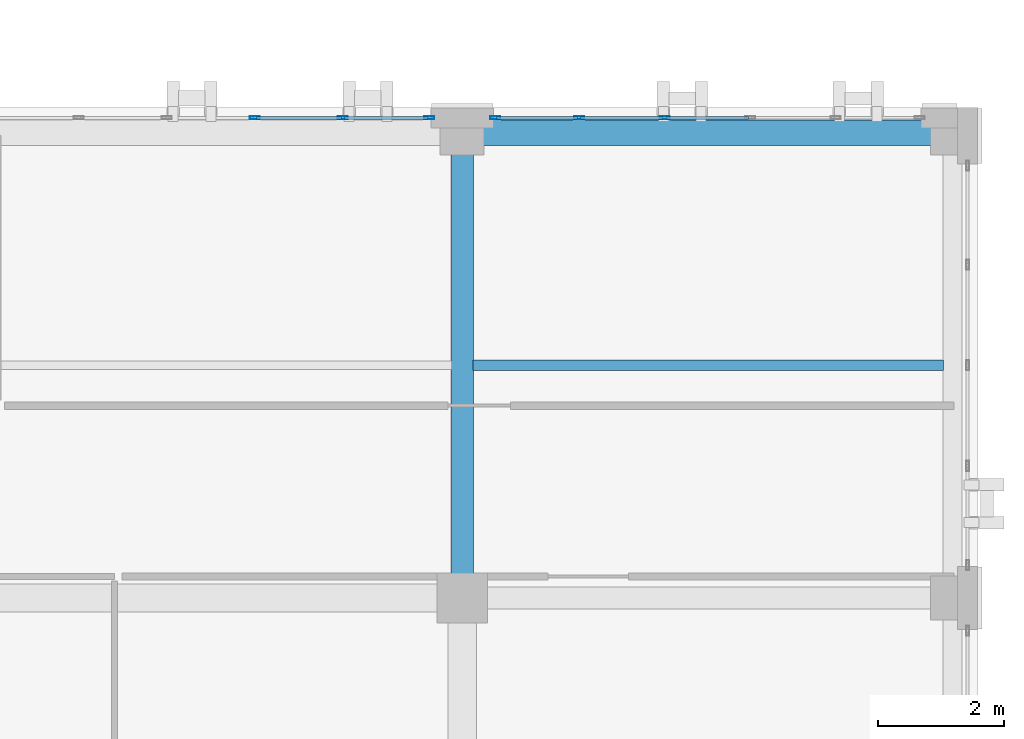
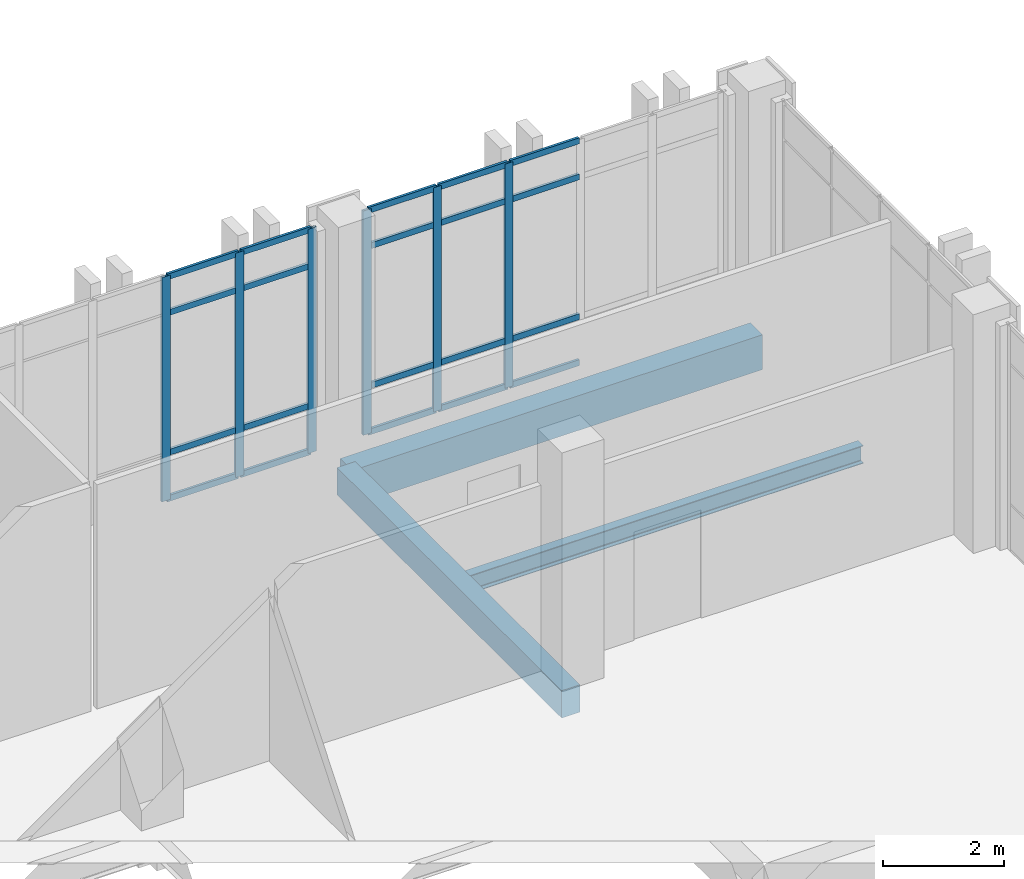
# One storey, part 126 of 189: 26 members, 3 beams, 2 elements without a shape of their own.
"""IFC4 building model written with IfcOpenShell, lengths in metres."""

from ifc_helpers import new_model, si_unit, direction, frame, origin, origin_2d, place, context, subcontext, project, spatial, rectangle, hollow_rectangle, i_section, extrude, material, layer, layer_set, material_profile, profile_set, type_object, element, aggregate, save


model = new_model("IFC4")

# Units and contexts
model_context = context("Model", 3, precision=1e-05, world=origin(), true_north=direction((0.0, 1.0)))
body_context = subcontext(model_context, "Body", "Model", "MODEL_VIEW")
ifc_project = project(units=[si_unit("LENGTHUNIT", "METRE"), si_unit("AREAUNIT", "SQUARE_METRE"), si_unit("VOLUMEUNIT", "CUBIC_METRE"), si_unit("PLANEANGLEUNIT", "RADIAN"), si_unit("MASSUNIT", "GRAM", prefix="KILO")], contexts=[model_context])

# Site, building, storey
site_placement = place(None, origin())
site = spatial("IfcSite", under=ifc_project, at=site_placement, CompositionType="ELEMENT")
building_placement = place(site_placement, origin())
building = spatial("IfcBuilding", under=site, at=building_placement, Name="Qalavern Law Courts", CompositionType="ELEMENT")
storey_placement = place(building_placement, frame((0.0, 0.0, 5.39990234375)))
storey = spatial("IfcBuildingStorey", under=building, at=storey_placement, Name="L01", CompositionType="ELEMENT", Elevation=5.39990234375)

# Curtain wall, members
ifc_material_1 = material(Name="Anodised aluminium and insulated glazing", Category="aluminium")
ifc_layer = layer(ifc_material_1, 0.172119140625)
ifc_layer_set = layer_set([ifc_layer], Name="Anodised aluminium and insulated glazing")
curtain_wall_type = type_object("IfcCurtainWallType", Name="ENV-CW-COURT", PredefinedType="USERDEFINED", material=ifc_layer_set)
curtain_wall_1_placement = place(storey_placement, origin())
curtain_wall_1 = element("IfcCurtainWall", 1, at=curtain_wall_1_placement, inside=storey, type_object=curtain_wall_type, Name="V6 unitised curtain wall L01 north 1", ObjectType="UNITISED CURTAIN WALL", PredefinedType="USERDEFINED")
ifc_material_2 = material(Name="Anodised aluminium", Category="aluminium")
ifc_material_profile_1 = material_profile(ifc_material_2, hollow_rectangle(XDim=0.048095703125, YDim=0.159912109375, WallThickness=0.00390625, at=origin_2d()), Name="ALU MULLION 48x160")
ifc_profile_set_1 = profile_set([ifc_material_profile_1], Name="Anodised aluminium")
member_type_1 = type_object("IfcMemberType", Name="ENV-CWM-48x160", PredefinedType="MULLION", material=ifc_profile_set_1)
member_1_placement = place(storey_placement, frame((161.02001953125, 22.4375, 0.0), z_axis=(0.0, 0.0, 1.0), x_axis=(0.0, -1.0, 0.0)))
member_1 = element("IfcMember", 2, at=member_1_placement, type_object=member_type_1, Name="CW-03 mullion 4", PredefinedType="MULLION", context=body_context, shape_type="SweptSolid", body=[
    extrude(hollow_rectangle(XDim=0.048095703125, YDim=0.159912109375, WallThickness=0.00390625, at=origin_2d()), origin(), (0.0, 0.0, 1.0), 4.510009765625),
])
member_2_placement = place(storey_placement, frame((159.659912109375, 22.4375, 0.0), z_axis=(0.0, 0.0, 1.0), x_axis=(0.0, -1.0, 0.0)))
member_2 = element("IfcMember", 3, at=member_2_placement, type_object=member_type_1, Name="CW-03 mullion 5", PredefinedType="MULLION", context=body_context, shape_type="SweptSolid", body=[
    extrude(hollow_rectangle(XDim=0.048095703125, YDim=0.159912109375, WallThickness=0.00390625, at=origin_2d()), origin(), (0.0, 0.0, 1.0), 4.510009765625),
])
member_3_placement = place(storey_placement, frame((158.323974609375, 22.4375, 0.0), z_axis=(0.0, 0.0, 1.0), x_axis=(0.0, -1.0, 0.0)))
member_3 = element("IfcMember", 4, at=member_3_placement, type_object=member_type_1, Name="CW-03 mullion 6", PredefinedType="MULLION", context=body_context, shape_type="SweptSolid", body=[
    extrude(hollow_rectangle(XDim=0.048095703125, YDim=0.159912109375, WallThickness=0.00390625, at=origin_2d()), origin(), (0.0, 0.0, 1.0), 4.510009765625),
])

curtain_wall_2_placement = place(storey_placement, origin())
curtain_wall_2 = element("IfcCurtainWall", 5, at=curtain_wall_2_placement, inside=storey, type_object=curtain_wall_type, Name="V6 unitised curtain wall L01 north 2", ObjectType="UNITISED CURTAIN WALL", PredefinedType="USERDEFINED")
member_4_placement = place(storey_placement, frame((157.27587890625, 22.4375, 0.0), z_axis=(0.0, 0.0, 1.0), x_axis=(0.0, -1.0, 0.0)))
member_4 = element("IfcMember", 6, at=member_4_placement, type_object=member_type_1, Name="CW-03 mullion 1", PredefinedType="MULLION", context=body_context, shape_type="SweptSolid", body=[
    extrude(hollow_rectangle(XDim=0.048095703125, YDim=0.159912109375, WallThickness=0.00390625, at=origin_2d()), origin(), (0.0, 0.0, 1.0), 4.510009765625),
])
member_5_placement = place(storey_placement, frame((155.89990234375, 22.4375, 0.0), z_axis=(0.0, 0.0, 1.0), x_axis=(0.0, -1.0, 0.0)))
member_5 = element("IfcMember", 7, at=member_5_placement, type_object=member_type_1, Name="CW-03 mullion 2", PredefinedType="MULLION", context=body_context, shape_type="SweptSolid", body=[
    extrude(hollow_rectangle(XDim=0.048095703125, YDim=0.159912109375, WallThickness=0.00390625, at=origin_2d()), origin(), (0.0, 0.0, 1.0), 4.510009765625),
])
member_6_placement = place(storey_placement, frame((154.5, 22.4375, 0.0), z_axis=(0.0, 0.0, 1.0), x_axis=(0.0, -1.0, 0.0)))
member_6 = element("IfcMember", 8, at=member_6_placement, type_object=member_type_1, Name="CW-03 mullion 3", PredefinedType="MULLION", context=body_context, shape_type="SweptSolid", body=[
    extrude(hollow_rectangle(XDim=0.048095703125, YDim=0.159912109375, WallThickness=0.00390625, at=origin_2d()), origin(), (0.0, 0.0, 1.0), 4.510009765625),
])

# Member
ifc_material_profile_2 = material_profile(ifc_material_2, hollow_rectangle(XDim=0.048095703125, YDim=0.1201171875, WallThickness=0.00390625, at=origin_2d()), Name="ALU TRANSOM 48x120")
ifc_profile_set_2 = profile_set([ifc_material_profile_2], Name="Anodised aluminium")
member_type_2 = type_object("IfcMemberType", Name="ENV-CWT-48x120", PredefinedType="USERDEFINED", material=ifc_profile_set_2)
member_7_placement = place(storey_placement, frame((162.35595703125, 22.4375, 0.024169921875), z_axis=(-1.0, 0.0, 0.0), x_axis=(0.0, -1.0, 0.0)))
member_7 = element("IfcMember", 9, at=member_7_placement, type_object=member_type_2, Name="CW-03 transom 3.1", ObjectType="TRANSOM", PredefinedType="USERDEFINED", context=body_context, shape_type="SweptSolid", body=[
    extrude(hollow_rectangle(XDim=0.048095703125, YDim=0.1201171875, WallThickness=0.00390625, at=origin_2d()), origin(), (0.0, 0.0, 1.0), 1.31201171875),
])

member_8_placement = place(storey_placement, frame((162.35595703125, 22.4375, 0.9501953125), z_axis=(-1.0, 0.0, 0.0), x_axis=(0.0, -1.0, 0.0)))
member_8 = element("IfcMember", 10, at=member_8_placement, type_object=member_type_2, Name="CW-03 transom 3.2", ObjectType="TRANSOM", PredefinedType="USERDEFINED", context=body_context, shape_type="SweptSolid", body=[
    extrude(hollow_rectangle(XDim=0.048095703125, YDim=0.1201171875, WallThickness=0.00390625, at=origin_2d()), origin(), (0.0, 0.0, 1.0), 1.31201171875),
])

member_9_placement = place(storey_placement, frame((162.35595703125, 22.4375, 3.760009765625), z_axis=(-1.0, 0.0, 0.0), x_axis=(0.0, -1.0, 0.0)))
member_9 = element("IfcMember", 11, at=member_9_placement, type_object=member_type_2, Name="CW-03 transom 3.3", ObjectType="TRANSOM", PredefinedType="USERDEFINED", context=body_context, shape_type="SweptSolid", body=[
    extrude(hollow_rectangle(XDim=0.048095703125, YDim=0.1201171875, WallThickness=0.00390625, at=origin_2d()), origin(), (0.0, 0.0, 1.0), 1.31201171875),
])

member_10_placement = place(storey_placement, frame((162.35595703125, 22.4375, 4.486083984375), z_axis=(-1.0, 0.0, 0.0), x_axis=(0.0, -1.0, 0.0)))
member_10 = element("IfcMember", 12, at=member_10_placement, type_object=member_type_2, Name="CW-03 transom 3.4", ObjectType="TRANSOM", PredefinedType="USERDEFINED", context=body_context, shape_type="SweptSolid", body=[
    extrude(hollow_rectangle(XDim=0.048095703125, YDim=0.1201171875, WallThickness=0.00390625, at=origin_2d()), origin(), (0.0, 0.0, 1.0), 1.31201171875),
])

member_11_placement = place(storey_placement, frame((160.99609375, 22.4375, 0.024169921875), z_axis=(-1.0, 0.0, 0.0), x_axis=(0.0, -1.0, 0.0)))
member_11 = element("IfcMember", 13, at=member_11_placement, type_object=member_type_2, Name="CW-03 transom 4.1", ObjectType="TRANSOM", PredefinedType="USERDEFINED", context=body_context, shape_type="SweptSolid", body=[
    extrude(hollow_rectangle(XDim=0.048095703125, YDim=0.1201171875, WallThickness=0.00390625, at=origin_2d()), origin(), (0.0, 0.0, 1.0), 1.31201171875),
])

member_12_placement = place(storey_placement, frame((160.99609375, 22.4375, 0.9501953125), z_axis=(-1.0, 0.0, 0.0), x_axis=(0.0, -1.0, 0.0)))
member_12 = element("IfcMember", 14, at=member_12_placement, type_object=member_type_2, Name="CW-03 transom 4.2", ObjectType="TRANSOM", PredefinedType="USERDEFINED", context=body_context, shape_type="SweptSolid", body=[
    extrude(hollow_rectangle(XDim=0.048095703125, YDim=0.1201171875, WallThickness=0.00390625, at=origin_2d()), origin(), (0.0, 0.0, 1.0), 1.31201171875),
])

member_13_placement = place(storey_placement, frame((160.99609375, 22.4375, 3.760009765625), z_axis=(-1.0, 0.0, 0.0), x_axis=(0.0, -1.0, 0.0)))
member_13 = element("IfcMember", 15, at=member_13_placement, type_object=member_type_2, Name="CW-03 transom 4.3", ObjectType="TRANSOM", PredefinedType="USERDEFINED", context=body_context, shape_type="SweptSolid", body=[
    extrude(hollow_rectangle(XDim=0.048095703125, YDim=0.1201171875, WallThickness=0.00390625, at=origin_2d()), origin(), (0.0, 0.0, 1.0), 1.31201171875),
])

member_14_placement = place(storey_placement, frame((160.99609375, 22.4375, 4.486083984375), z_axis=(-1.0, 0.0, 0.0), x_axis=(0.0, -1.0, 0.0)))
member_14 = element("IfcMember", 16, at=member_14_placement, type_object=member_type_2, Name="CW-03 transom 4.4", ObjectType="TRANSOM", PredefinedType="USERDEFINED", context=body_context, shape_type="SweptSolid", body=[
    extrude(hollow_rectangle(XDim=0.048095703125, YDim=0.1201171875, WallThickness=0.00390625, at=origin_2d()), origin(), (0.0, 0.0, 1.0), 1.31201171875),
])

member_15_placement = place(storey_placement, frame((159.635986328125, 22.4375, 0.024169921875), z_axis=(-1.0, 0.0, 0.0), x_axis=(0.0, -1.0, 0.0)))
member_15 = element("IfcMember", 17, at=member_15_placement, type_object=member_type_2, Name="CW-03 transom 5.1", ObjectType="TRANSOM", PredefinedType="USERDEFINED", context=body_context, shape_type="SweptSolid", body=[
    extrude(hollow_rectangle(XDim=0.048095703125, YDim=0.1201171875, WallThickness=0.00390625, at=origin_2d()), origin(), (0.0, 0.0, 1.0), 1.2880859375),
])

member_16_placement = place(storey_placement, frame((159.635986328125, 22.4375, 0.9501953125), z_axis=(-1.0, 0.0, 0.0), x_axis=(0.0, -1.0, 0.0)))
member_16 = element("IfcMember", 18, at=member_16_placement, type_object=member_type_2, Name="CW-03 transom 5.2", ObjectType="TRANSOM", PredefinedType="USERDEFINED", context=body_context, shape_type="SweptSolid", body=[
    extrude(hollow_rectangle(XDim=0.048095703125, YDim=0.1201171875, WallThickness=0.00390625, at=origin_2d()), origin(), (0.0, 0.0, 1.0), 1.2880859375),
])

member_17_placement = place(storey_placement, frame((159.635986328125, 22.4375, 3.760009765625), z_axis=(-1.0, 0.0, 0.0), x_axis=(0.0, -1.0, 0.0)))
member_17 = element("IfcMember", 19, at=member_17_placement, type_object=member_type_2, Name="CW-03 transom 5.3", ObjectType="TRANSOM", PredefinedType="USERDEFINED", context=body_context, shape_type="SweptSolid", body=[
    extrude(hollow_rectangle(XDim=0.048095703125, YDim=0.1201171875, WallThickness=0.00390625, at=origin_2d()), origin(), (0.0, 0.0, 1.0), 1.2880859375),
])

member_18_placement = place(storey_placement, frame((159.635986328125, 22.4375, 4.486083984375), z_axis=(-1.0, 0.0, 0.0), x_axis=(0.0, -1.0, 0.0)))
member_18 = element("IfcMember", 20, at=member_18_placement, type_object=member_type_2, Name="CW-03 transom 5.4", ObjectType="TRANSOM", PredefinedType="USERDEFINED", context=body_context, shape_type="SweptSolid", body=[
    extrude(hollow_rectangle(XDim=0.048095703125, YDim=0.1201171875, WallThickness=0.00390625, at=origin_2d()), origin(), (0.0, 0.0, 1.0), 1.2880859375),
])

aggregate(curtain_wall_1, [member_1, member_2, member_3, member_7, member_8, member_9, member_10, member_11, member_12, member_13, member_14, member_15, member_16, member_17, member_18])

member_19_placement = place(storey_placement, frame((157.251953125, 22.4375, 0.024169921875), z_axis=(-1.0, 0.0, 0.0), x_axis=(0.0, -1.0, 0.0)))
member_19 = element("IfcMember", 21, at=member_19_placement, type_object=member_type_2, Name="CW-03 transom 1.1", ObjectType="TRANSOM", PredefinedType="USERDEFINED", context=body_context, shape_type="SweptSolid", body=[
    extrude(hollow_rectangle(XDim=0.048095703125, YDim=0.1201171875, WallThickness=0.00390625, at=origin_2d()), origin(), (0.0, 0.0, 1.0), 1.327880859375),
])

member_20_placement = place(storey_placement, frame((157.251953125, 22.4375, 0.9501953125), z_axis=(-1.0, 0.0, 0.0), x_axis=(0.0, -1.0, 0.0)))
member_20 = element("IfcMember", 22, at=member_20_placement, type_object=member_type_2, Name="CW-03 transom 1.2", ObjectType="TRANSOM", PredefinedType="USERDEFINED", context=body_context, shape_type="SweptSolid", body=[
    extrude(hollow_rectangle(XDim=0.048095703125, YDim=0.1201171875, WallThickness=0.00390625, at=origin_2d()), origin(), (0.0, 0.0, 1.0), 1.327880859375),
])

member_21_placement = place(storey_placement, frame((157.251953125, 22.4375, 3.760009765625), z_axis=(-1.0, 0.0, 0.0), x_axis=(0.0, -1.0, 0.0)))
member_21 = element("IfcMember", 23, at=member_21_placement, type_object=member_type_2, Name="CW-03 transom 1.3", ObjectType="TRANSOM", PredefinedType="USERDEFINED", context=body_context, shape_type="SweptSolid", body=[
    extrude(hollow_rectangle(XDim=0.048095703125, YDim=0.1201171875, WallThickness=0.00390625, at=origin_2d()), origin(), (0.0, 0.0, 1.0), 1.327880859375),
])

member_22_placement = place(storey_placement, frame((157.251953125, 22.4375, 4.486083984375), z_axis=(-1.0, 0.0, 0.0), x_axis=(0.0, -1.0, 0.0)))
member_22 = element("IfcMember", 24, at=member_22_placement, type_object=member_type_2, Name="CW-03 transom 1.4", ObjectType="TRANSOM", PredefinedType="USERDEFINED", context=body_context, shape_type="SweptSolid", body=[
    extrude(hollow_rectangle(XDim=0.048095703125, YDim=0.1201171875, WallThickness=0.00390625, at=origin_2d()), origin(), (0.0, 0.0, 1.0), 1.327880859375),
])

member_23_placement = place(storey_placement, frame((155.8759765625, 22.4375, 0.024169921875), z_axis=(-1.0, 0.0, 0.0), x_axis=(0.0, -1.0, 0.0)))
member_23 = element("IfcMember", 25, at=member_23_placement, type_object=member_type_2, Name="CW-03 transom 2.1", ObjectType="TRANSOM", PredefinedType="USERDEFINED", context=body_context, shape_type="SweptSolid", body=[
    extrude(hollow_rectangle(XDim=0.048095703125, YDim=0.1201171875, WallThickness=0.00390625, at=origin_2d()), origin(), (0.0, 0.0, 1.0), 1.35205078125),
])

member_24_placement = place(storey_placement, frame((155.8759765625, 22.4375, 0.9501953125), z_axis=(-1.0, 0.0, 0.0), x_axis=(0.0, -1.0, 0.0)))
member_24 = element("IfcMember", 26, at=member_24_placement, type_object=member_type_2, Name="CW-03 transom 2.2", ObjectType="TRANSOM", PredefinedType="USERDEFINED", context=body_context, shape_type="SweptSolid", body=[
    extrude(hollow_rectangle(XDim=0.048095703125, YDim=0.1201171875, WallThickness=0.00390625, at=origin_2d()), origin(), (0.0, 0.0, 1.0), 1.35205078125),
])

member_25_placement = place(storey_placement, frame((155.8759765625, 22.4375, 3.760009765625), z_axis=(-1.0, 0.0, 0.0), x_axis=(0.0, -1.0, 0.0)))
member_25 = element("IfcMember", 27, at=member_25_placement, type_object=member_type_2, Name="CW-03 transom 2.3", ObjectType="TRANSOM", PredefinedType="USERDEFINED", context=body_context, shape_type="SweptSolid", body=[
    extrude(hollow_rectangle(XDim=0.048095703125, YDim=0.1201171875, WallThickness=0.00390625, at=origin_2d()), origin(), (0.0, 0.0, 1.0), 1.35205078125),
])

member_26_placement = place(storey_placement, frame((155.8759765625, 22.4375, 4.486083984375), z_axis=(-1.0, 0.0, 0.0), x_axis=(0.0, -1.0, 0.0)))
member_26 = element("IfcMember", 28, at=member_26_placement, type_object=member_type_2, Name="CW-03 transom 2.4", ObjectType="TRANSOM", PredefinedType="USERDEFINED", context=body_context, shape_type="SweptSolid", body=[
    extrude(hollow_rectangle(XDim=0.048095703125, YDim=0.1201171875, WallThickness=0.00390625, at=origin_2d()), origin(), (0.0, 0.0, 1.0), 1.35205078125),
])

aggregate(curtain_wall_2, [member_4, member_5, member_6, member_19, member_20, member_21, member_22, member_23, member_24, member_25, member_26])

# Beams
ifc_material_3 = material(Name="Concrete C35/45", Category="concrete")
ifc_material_profile_3 = material_profile(ifc_material_3, rectangle(XDim=0.35009765625, YDim=0.550048828125, at=origin_2d()), Name="RC 350x550")
ifc_profile_set_3 = profile_set([ifc_material_profile_3], Name="Concrete C35/45")
beam_type_1 = type_object("IfcBeamType", Name="STR-BM-RC350x550", PredefinedType="BEAM", material=ifc_profile_set_3)
beam_1_placement = place(storey_placement, frame((157.800048828125, 14.800048828125, -0.574951171875), z_axis=(0.0, 1.0, 0.0), x_axis=(-1.0, 0.0, 0.0)))
element("IfcBeam", 29, at=beam_1_placement, inside=storey, type_object=beam_type_1, Name="V6 Y-beam 8-3 L01", PredefinedType="BEAM", context=body_context, shape_type="SweptSolid", body=[
    extrude(rectangle(XDim=0.35009765625, YDim=0.550048828125, at=origin_2d()), origin(), (0.0, 0.0, 1.0), 7.39990234375),
])
ifc_material_4 = material(Name="Steel S355", Category="steel")
ifc_material_profile_4 = material_profile(ifc_material_4, i_section(OverallWidth=0.169921875, OverallDepth=0.360107421875, WebThickness=0.008056640625, FlangeThickness=0.0126953125, FilletRadius=0.01806640625, at=origin_2d()), Name="IPE 360")
ifc_profile_set_4 = profile_set([ifc_material_profile_4], Name="Steel S355")
beam_type_2 = type_object("IfcBeamType", Name="STR-JST-IPE360", PredefinedType="JOIST", material=ifc_profile_set_4)
beam_2_placement = place(storey_placement, frame((157.972900390625, 18.5, -0.47998046875), z_axis=(1.0, 0.0, 0.0), x_axis=(0.0, 1.0, 0.0)))
element("IfcBeam", 30, at=beam_2_placement, inside=storey, type_object=beam_type_2, Name="V6 secondary joist 8.3.1 L01", PredefinedType="JOIST", context=body_context, shape_type="SweptSolid", body=[
    extrude(i_section(OverallWidth=0.169921875, OverallDepth=0.360107421875, WebThickness=0.008056640625, FlangeThickness=0.0126953125, FilletRadius=0.01806640625, at=origin_2d()), origin(), (0.0, 0.0, 1.0), 7.47900390625),
])
ifc_material_5 = material(Name="Concrete C40/50", Category="concrete")
ifc_material_profile_5 = material_profile(ifc_material_5, rectangle(XDim=0.39990234375, YDim=0.699951171875, at=origin_2d()), Name="RC 400x700")
ifc_profile_set_5 = profile_set([ifc_material_profile_5], Name="Concrete C40/50")
beam_type_3 = type_object("IfcBeamType", Name="STR-SP-RC400x700", PredefinedType="SPANDREL", material=ifc_profile_set_5)
beam_3_placement = place(storey_placement, frame((157.800048828125, 22.199951171875, -0.64990234375), z_axis=(1.0, 0.0, 0.0), x_axis=(0.0, 1.0, 0.0)))
element("IfcBeam", 31, at=beam_3_placement, inside=storey, type_object=beam_type_3, Name="V6 X-beam 4-8 L01", PredefinedType="SPANDREL", context=body_context, shape_type="SweptSolid", body=[
    extrude(rectangle(XDim=0.39990234375, YDim=0.699951171875, at=origin_2d()), origin(), (0.0, 0.0, 1.0), 7.800048828125),
])

save(model, "model.ifc")
